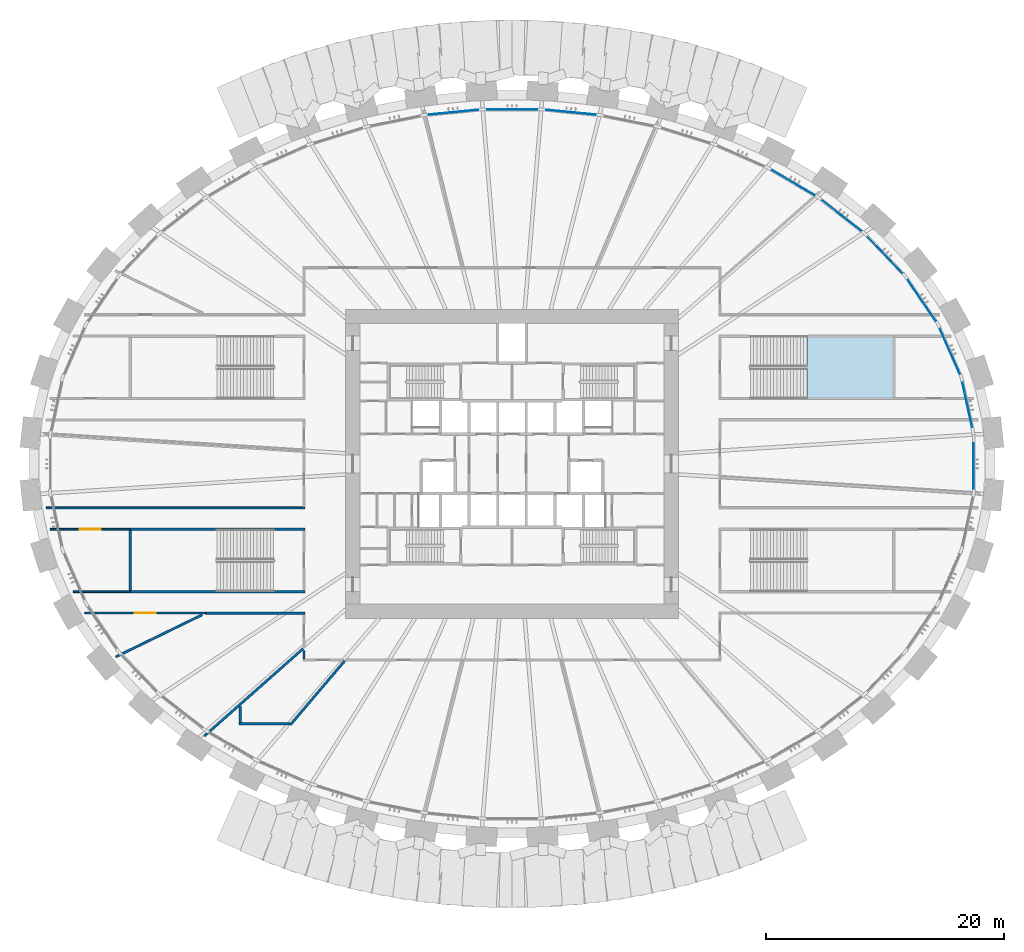
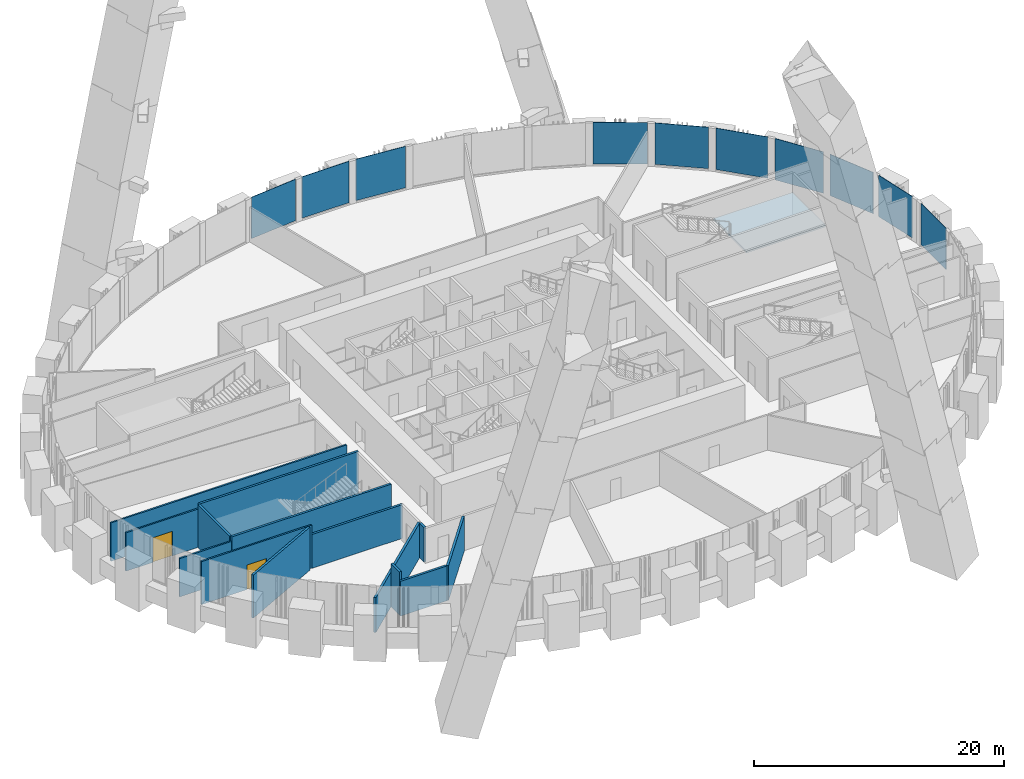
# One storey, part 7 of 23: 14 walls, 10 plates, 2 doors, 1 slab, 2 openings, 3 elements without a shape of their own.
"""IFC4 building model written with IfcOpenShell, lengths in metres."""

from ifc_helpers import new_model, si_unit, direction, frame, frame_2d, origin, origin_2d, place, context, subcontext, project, spatial, polyline, rectangle, outline, extrude, source, transform, mapped, material, layer, layer_set, type_object, element, fill, aggregate, save


model = new_model("IFC4")

# Units and contexts
model_context = context("Model", 3, precision=1e-05, world=origin(), true_north=direction((0.0, 1.0)))
body_context = subcontext(model_context, "Body", "Model", "MODEL_VIEW")
ifc_project = project(units=[si_unit("LENGTHUNIT", "METRE"), si_unit("AREAUNIT", "SQUARE_METRE"), si_unit("VOLUMEUNIT", "CUBIC_METRE"), si_unit("PLANEANGLEUNIT", "RADIAN"), si_unit("MASSUNIT", "GRAM", prefix="KILO")], contexts=[model_context])

# Site, building, storey
site_placement = place(None, origin())
site = spatial("IfcSite", under=ifc_project, at=site_placement, CompositionType="ELEMENT")
building_placement = place(site_placement, origin())
building = spatial("IfcBuilding", under=site, at=building_placement, Name="Embergate Tower", CompositionType="ELEMENT")
storey_placement = place(building_placement, frame((0.0, 0.0, 29.0)))
storey = spatial("IfcBuildingStorey", under=building, at=storey_placement, Name="L03", CompositionType="ELEMENT", Elevation=29.0)

# Curtain wall, plates
ifc_material_1 = material(Name="Aluminium and glass", Category="aluminium")
curtain_wall_type = type_object("IfcCurtainWallType", Name="Podium base glazing", PredefinedType="NOTDEFINED", material=ifc_material_1)
curtain_wall_1_placement = place(storey_placement, origin())
curtain_wall_1 = element("IfcCurtainWall", 1, at=curtain_wall_1_placement, inside=storey, type_object=curtain_wall_type, Name="Podium base glazing run 1", ObjectType="PODIUM BASE GLAZING", PredefinedType="USERDEFINED")
ifc_material_2 = material(Name="Triple glazing, low-emissivity coating", Category="glass")
ifc_layer_1 = layer(ifc_material_2, 0.0400390625)
ifc_layer_set_1 = layer_set([ifc_layer_1], Name="Triple glazing, low-emissivity coating")
plate_type = type_object("IfcPlateType", Name="Base glazing unit", PredefinedType="CURTAIN_PANEL", material=ifc_layer_set_1)
shared_shape_1 = source(origin(), body_context, "Body", "SweptSolid", [
    extrude(rectangle(XDim=4.001220703125, YDim=0.0400390625, at=origin_2d()), origin(), (0.0, 0.0, 1.0), 4.0400390625),
])
plate_1_placement = place(storey_placement, frame((38.294677734375, 4.99169921875, 0.159912109375), z_axis=(0.0, 0.0, 1.0), x_axis=(-0.21039327239, 0.97761683237, 0.0)))
plate_1 = element("IfcPlate", 2, at=plate_1_placement, type_object=plate_type, Name="CW panel 1.1", PredefinedType="CURTAIN_PANEL", context=body_context, shape_type="MappedRepresentation", body=[
    mapped(shared_shape_1, transform((0.0, 0.0, 0.0))),
])
shared_shape_2 = source(origin(), body_context, "Body", "SweptSolid", [
    extrude(rectangle(XDim=4.30859375, YDim=0.0400390625, at=origin_2d()), origin(), (0.0, 0.0, 1.0), 4.0400390625),
])
plate_2_placement = place(storey_placement, frame((36.82470703125, 9.48828125, 0.159912109375), z_axis=(0.0, 0.0, 1.0), x_axis=(-0.401644109346, 0.915795833921, 0.0)))
plate_2 = element("IfcPlate", 3, at=plate_2_placement, type_object=plate_type, Name="CW panel 2.1", PredefinedType="CURTAIN_PANEL", context=body_context, shape_type="MappedRepresentation", body=[
    mapped(shared_shape_2, transform((0.0, 0.0, 0.0))),
])
shared_shape_3 = source(origin(), body_context, "Body", "SweptSolid", [
    extrude(rectangle(XDim=4.318115234375, YDim=0.0400390625, at=origin_2d()), origin(), (0.0, 0.0, 1.0), 4.0400390625),
])
plate_3_placement = place(storey_placement, frame((34.456298828125, 13.769287109375, 0.159912109375), z_axis=(0.0, 0.0, 1.0), x_axis=(-0.562333082556, 0.826910820018, 0.0)))
plate_3 = element("IfcPlate", 4, at=plate_3_placement, type_object=plate_type, Name="CW panel 3.1", PredefinedType="CURTAIN_PANEL", context=body_context, shape_type="MappedRepresentation", body=[
    mapped(shared_shape_3, transform((0.0, 0.0, 0.0))),
])
shared_shape_4 = source(origin(), body_context, "Body", "SweptSolid", [
    extrude(rectangle(XDim=4.327392578125, YDim=0.0400390625, at=origin_2d()), origin(), (0.0, 0.0, 1.0), 4.0400390625),
])
plate_4_placement = place(storey_placement, frame((31.373046875, 17.585693359375, 0.159912109375), z_axis=(0.0, 0.0, 1.0), x_axis=(-0.690124942972, 0.723690239735, 0.0)))
plate_4 = element("IfcPlate", 5, at=plate_4_placement, type_object=plate_type, Name="CW panel 4.1", PredefinedType="CURTAIN_PANEL", context=body_context, shape_type="MappedRepresentation", body=[
    mapped(shared_shape_4, transform((0.0, 0.0, 0.0))),
])
shared_shape_5 = source(origin(), body_context, "Body", "SweptSolid", [
    extrude(rectangle(XDim=4.33544921875, YDim=0.0400390625, at=origin_2d()), origin(), (0.0, 0.0, 1.0), 4.0400390625),
])
plate_5_placement = place(storey_placement, frame((27.7275390625, 20.88720703125, 0.159912109375), z_axis=(0.0, 0.0, 1.0), x_axis=(-0.788312602312, 0.615274931259, 0.0)))
plate_5 = element("IfcPlate", 6, at=plate_5_placement, type_object=plate_type, Name="CW panel 5.1", PredefinedType="CURTAIN_PANEL", context=body_context, shape_type="MappedRepresentation", body=[
    mapped(shared_shape_5, transform((0.0, 0.0, 0.0))),
])
shared_shape_6 = source(origin(), body_context, "Body", "SweptSolid", [
    extrude(rectangle(XDim=4.341796875, YDim=0.0400390625, at=origin_2d()), origin(), (0.0, 0.0, 1.0), 4.0400390625),
])
plate_6_placement = place(storey_placement, frame((23.652099609375, 23.65771484375, 0.159912109375), z_axis=(0.0, 0.0, 1.0), x_axis=(-0.862046975799, 0.506828384679, 0.0)))
plate_6 = element("IfcPlate", 7, at=plate_6_placement, type_object=plate_type, Name="CW panel 6.1", PredefinedType="CURTAIN_PANEL", context=body_context, shape_type="MappedRepresentation", body=[
    mapped(shared_shape_6, transform((0.0, 0.0, 0.0))),
])
shared_shape_7 = source(origin(), body_context, "Body", "SweptSolid", [
    extrude(rectangle(XDim=4.35400390625, YDim=0.0400390625, at=origin_2d()), origin(), (0.0, 0.0, 1.0), 4.0400390625),
])
plate_7_placement = place(storey_placement, frame((4.9423828125, 29.580078125, 0.159912109375), z_axis=(0.0, 0.0, 1.0), x_axis=(-0.995203014042, 0.097831287645, 0.0)))
plate_7 = element("IfcPlate", 8, at=plate_7_placement, type_object=plate_type, Name="CW panel 10.1", PredefinedType="CURTAIN_PANEL", context=body_context, shape_type="MappedRepresentation", body=[
    mapped(shared_shape_7, transform((0.0, 0.0, 0.0))),
])
plate_8_placement = place(storey_placement, frame((-4.9423828125, 29.580078125, 0.159912109375), z_axis=(0.0, 0.0, 1.0), x_axis=(-0.995203014042, -0.097831287645, 0.0)))
plate_8 = element("IfcPlate", 9, at=plate_8_placement, type_object=plate_type, Name="CW panel 12.1", PredefinedType="CURTAIN_PANEL", context=body_context, shape_type="MappedRepresentation", body=[
    mapped(shared_shape_7, transform((0.0, 0.0, 0.0))),
])
shared_shape_8 = source(origin(), body_context, "Body", "SweptSolid", [
    extrude(rectangle(XDim=4.3544921875, YDim=0.0400390625, at=origin_2d()), origin(), (0.0, 0.0, 1.0), 4.0400390625),
])
plate_9_placement = place(storey_placement, frame((0.0, 29.822509765625, 0.159912109375), z_axis=(0.0, 0.0, 1.0), x_axis=(-1.0, 0.0, 0.0)))
plate_9 = element("IfcPlate", 10, at=plate_9_placement, type_object=plate_type, Name="CW panel 11.1", PredefinedType="CURTAIN_PANEL", context=body_context, shape_type="MappedRepresentation", body=[
    mapped(shared_shape_8, transform((0.0, 0.0, 0.0))),
])
aggregate(curtain_wall_1, [plate_1, plate_2, plate_3, plate_4, plate_5, plate_6, plate_7, plate_9, plate_8])

# Curtain wall, plate
curtain_wall_2_placement = place(storey_placement, origin())
curtain_wall_2 = element("IfcCurtainWall", 11, at=curtain_wall_2_placement, inside=storey, type_object=curtain_wall_type, Name="Podium base glazing run 3", ObjectType="PODIUM BASE GLAZING", PredefinedType="USERDEFINED")
shared_shape_9 = source(origin(), body_context, "Body", "SweptSolid", [
    extrude(rectangle(XDim=3.998291015625, YDim=0.0400390625, at=origin_2d()), origin(), (0.0, 0.0, 1.0), 4.0400390625),
])
plate_10_placement = place(storey_placement, frame((38.841796875, -0.14990234375, 0.159912109375), z_axis=(0.0, 0.0, 1.0), x_axis=(0.0, 1.0, 0.0)))
plate_10 = element("IfcPlate", 12, at=plate_10_placement, type_object=plate_type, Name="CW panel 15.1", PredefinedType="CURTAIN_PANEL", context=body_context, shape_type="MappedRepresentation", body=[
    mapped(shared_shape_9, transform((0.0, 0.0, 0.0))),
])
aggregate(curtain_wall_2, [plate_10])

# Stair, slab
ifc_material_3 = material(Name="Concrete C40", Category="concrete")
stair_type = type_object("IfcStairType", Name="Podium exit stair RC", PredefinedType="HALF_TURN_STAIR", material=ifc_material_3)
stair_placement = place(storey_placement, origin())
stair = element("IfcStair", 13, at=stair_placement, inside=storey, type_object=stair_type, Name="L03 Podium exit stair 1", PredefinedType="HALF_TURN_STAIR")
ifc_layer_2 = layer(ifc_material_3, 0.199951171875)
ifc_layer_set_2 = layer_set([ifc_layer_2], Name="Concrete C40")
slab_type = type_object("IfcSlabType", Name="Podium exit stair landing RC", PredefinedType="LANDING", material=ifc_layer_set_2)
shared_shape_10 = source(origin(), body_context, "Body", "SweptSolid", [
    extrude(outline(polyline([(0.0, 0.0), (7.31005859375, 0.0), (7.31005859375, 5.25), (0.0, 5.25), (0.0, 0.0)])), origin(), (0.0, 0.0, 1.0), 0.199951171875),
])
slab_placement = place(storey_placement, frame((24.81005859375, 5.5, 2.050048828125)))
slab = element("IfcSlab", 14, at=slab_placement, type_object=slab_type, Name="P1 landing 1", PredefinedType="LANDING", context=body_context, shape_type="MappedRepresentation", body=[
    mapped(shared_shape_10, transform((0.0, 0.0, 0.0))),
])
aggregate(stair, [slab])

# Wall
ifc_material_4 = material(Name="Plasterboard on steel stud", Category="steel")
ifc_layer_3 = layer(ifc_material_4, 0.14990234375)
ifc_layer_set_3 = layer_set([ifc_layer_3], Name="Plasterboard on steel stud")
wall_type_1 = type_object("IfcWallType", Name="Partition wall 150 board", PredefinedType="PARTITIONING", material=ifc_layer_set_3)
shared_shape_11 = source(origin(), body_context, "Body", "SweptSolid", [
    extrude(rectangle(XDim=21.764892578125, YDim=0.14990234375, at=frame_2d((10.88232421875, 0.0))), origin(), (0.0, 0.0, 1.0), 3.75),
])
wall_1_placement = place(storey_placement, frame((-17.425048828125, -3.699951171875, 0.0), z_axis=(0.0, 0.0, 1.0), x_axis=(-1.0, 0.0, 0.0)))
element("IfcWall", 15, at=wall_1_placement, inside=storey, type_object=wall_type_1, Name="Partition 022", PredefinedType="PARTITIONING", context=body_context, shape_type="MappedRepresentation", body=[
    mapped(shared_shape_11, transform((0.0, 0.0, 0.0))),
])

# Wall, opening, door
shared_shape_12 = source(origin(), body_context, "Body", "SweptSolid", [
    extrude(rectangle(XDim=6.7119140625, YDim=0.14990234375, at=frame_2d((3.35595703125, 0.0))), origin(), (0.0, 0.0, 1.0), 3.75),
])
wall_2_placement = place(storey_placement, frame((-38.83203125, -5.5, 0.0), z_axis=(0.0, 0.0, 1.0), x_axis=(1.0, 0.0, 0.0)))
wall_2 = element("IfcWall", 16, at=wall_2_placement, inside=storey, type_object=wall_type_1, Name="Partition 002", PredefinedType="PARTITIONING", context=body_context, shape_type="MappedRepresentation", body=[
    mapped(shared_shape_12, transform((0.0, 0.0, 0.0))),
])
shared_shape_13 = source(origin(), body_context, "Body", "SweptSolid", [
    extrude(rectangle(XDim=1.800048828125, YDim=2.39990234375, at=frame_2d((0.89990234375, 1.199951171875))), frame((0.0, 0.0849609375, 0.0), z_axis=(0.0, -1.0, 0.0), x_axis=(1.0, 0.0, 0.0)), (0.0, 0.0, 1.0), 0.169921875),
])
opening_1_placement = place(wall_2_placement, frame((2.4560546875, 0.0, 0.0)))
opening_1 = element("IfcOpeningElement", 17, at=opening_1_placement, cuts=wall_2, Name="Opening DS-069", PredefinedType="OPENING", context=body_context, shape_type="MappedRepresentation", body=[
    mapped(shared_shape_13, transform((0.0, 0.0, 0.0))),
])
ifc_material_5 = material(Name="Timber door leaf, steel frame", Category="steel")
door_type = type_object("IfcDoorType", Name="Double door 1800x2400", OperationType="DOUBLE_DOOR_SINGLE_SWING", PredefinedType="DOOR", material=ifc_material_5)
shared_shape_14 = source(origin(), body_context, "Body", "SweptSolid", [
    extrude(rectangle(XDim=1.800048828125, YDim=2.39990234375, at=frame_2d((0.89990234375, 1.199951171875))), frame((0.0, 0.02490234375, 0.0), z_axis=(0.0, -1.0, 0.0), x_axis=(1.0, 0.0, 0.0)), (0.0, 0.0, 1.0), 0.050048828125),
])
door_1_placement = place(opening_1_placement, origin())
door_1 = element("IfcDoor", 18, at=door_1_placement, inside=storey, type_object=door_type, Name="Door to Breakout lounge", OperationType="SINGLE_SWING_LEFT", OverallHeight=2.39990234375, OverallWidth=1.800048828125, PredefinedType="DOOR", context=body_context, shape_type="MappedRepresentation", body=[
    mapped(shared_shape_14, transform((0.0, 0.0, 0.0))),
])
fill(opening_1, door_1)

# Wall
shared_shape_15 = source(origin(), body_context, "Body", "SweptSolid", [
    extrude(rectangle(XDim=4.796875, YDim=0.14990234375, at=frame_2d((2.3984375, 0.0))), origin(), (0.0, 0.0, 1.0), 3.75),
])
wall_3_placement = place(storey_placement, frame((-32.1201171875, -10.75, 0.0), z_axis=(0.0, 0.0, 1.0), x_axis=(-1.0, 0.0, 0.0)))
element("IfcWall", 19, at=wall_3_placement, inside=storey, type_object=wall_type_1, Name="Partition 005", PredefinedType="PARTITIONING", context=body_context, shape_type="MappedRepresentation", body=[
    mapped(shared_shape_15, transform((0.0, 0.0, 0.0))),
])

# Wall, opening, door
shared_shape_16 = source(origin(), body_context, "Body", "SweptSolid", [
    extrude(rectangle(XDim=10.169921875, YDim=0.14990234375, at=frame_2d((5.0849609375, 0.0))), origin(), (0.0, 0.0, 1.0), 4.199951171875),
])
wall_4_placement = place(storey_placement, frame((-35.93603515625, -12.550048828125, 0.0), z_axis=(0.0, 0.0, 1.0), x_axis=(1.0, 0.0, 0.0)))
wall_4 = element("IfcWall", 20, at=wall_4_placement, inside=storey, type_object=wall_type_1, Name="Partition 004", PredefinedType="PARTITIONING", context=body_context, shape_type="MappedRepresentation", body=[
    mapped(shared_shape_16, transform((0.0, 0.0, 0.0))),
])
opening_2_placement = place(wall_4_placement, frame((4.18505859375, 0.0, 0.0)))
opening_2 = element("IfcOpeningElement", 21, at=opening_2_placement, cuts=wall_4, Name="Opening DS-070", PredefinedType="OPENING", context=body_context, shape_type="MappedRepresentation", body=[
    mapped(shared_shape_13, transform((0.0, 0.0, 0.0))),
])
door_2_placement = place(opening_2_placement, origin())
door_2 = element("IfcDoor", 22, at=door_2_placement, inside=storey, type_object=door_type, Name="Door to Breakout lounge", OperationType="SINGLE_SWING_LEFT", OverallHeight=2.39990234375, OverallWidth=1.800048828125, PredefinedType="DOOR", context=body_context, shape_type="MappedRepresentation", body=[
    mapped(shared_shape_14, transform((0.0, 0.0, 0.0))),
])
fill(opening_2, door_2)

# Walls
ifc_layer_4 = layer(ifc_material_3, 0.199951171875)
ifc_layer_set_4 = layer_set([ifc_layer_4], Name="Concrete C40")
wall_type_2 = type_object("IfcWallType", Name="Stair enclosure wall RC 200", PredefinedType="STANDARD", material=ifc_layer_set_4)
shared_shape_17 = source(origin(), body_context, "Body", "SweptSolid", [
    extrude(rectangle(XDim=14.72021484375, YDim=0.199951171875, at=frame_2d((7.360107421875, 0.0))), origin(), (0.0, 0.0, 1.0), 4.199951171875),
])
for number, where, z_axis, x_axis, name in (
    (23, (-32.1201171875, -10.75, 0.0), (0.0, 0.0, 1.0), (1.0, 0.0, 0.0), "Stair wall 006"),
    (24, (-17.39990234375, -5.5, 0.0), (0.0, 0.0, 1.0), (-1.0, 0.0, 0.0), "Stair wall 021"),
):
    element("IfcWall", number, at=place(storey_placement, frame(where, z_axis=z_axis, x_axis=x_axis)), inside=storey, type_object=wall_type_2, Name=name, PredefinedType="STANDARD", context=body_context, shape_type="MappedRepresentation", body=[
        mapped(shared_shape_17, transform((0.0, 0.0, 0.0))),
    ])
shared_shape_18 = source(origin(), body_context, "Body", "SweptSolid", [
    extrude(rectangle(XDim=5.0498046875, YDim=0.199951171875, at=frame_2d((2.52490234375, 0.0))), origin(), (0.0, 0.0, 1.0), 4.199951171875),
])
wall_5_placement = place(storey_placement, frame((-32.1201171875, -5.60009765625, 0.0), z_axis=(0.0, 0.0, 1.0), x_axis=(0.0, -1.0, 0.0)))
element("IfcWall", 25, at=wall_5_placement, inside=storey, type_object=wall_type_2, Name="Stair wall 007", PredefinedType="STANDARD", context=body_context, shape_type="MappedRepresentation", body=[
    mapped(shared_shape_18, transform((0.0, 0.0, 0.0))),
])
ifc_material_6 = material(Name="Blockwork, plastered", Category="masonry")
ifc_layer_5 = layer(ifc_material_6, 0.199951171875)
ifc_layer_set_5 = layer_set([ifc_layer_5], Name="Blockwork, plastered")
wall_type_3 = type_object("IfcWallType", Name="Partition wall 200 block", PredefinedType="PARTITIONING", material=ifc_layer_set_5)
shared_shape_19 = source(origin(), body_context, "Body", "SweptSolid", [
    extrude(rectangle(XDim=8.084228515625, YDim=0.199951171875, at=frame_2d((4.0419921875, 0.0))), origin(), (0.0, 0.0, 1.0), 4.199951171875),
])
wall_6_placement = place(storey_placement, frame((-26.072021484375, -12.698974609375, 0.0), z_axis=(0.0, 0.0, 1.0), x_axis=(-0.89902949957, -0.437888066636, 0.0)))
element("IfcWall", 26, at=wall_6_placement, inside=storey, type_object=wall_type_3, Name="Partition 011", PredefinedType="PARTITIONING", context=body_context, shape_type="MappedRepresentation", body=[
    mapped(shared_shape_19, transform((0.0, 0.0, 0.0))),
])
shared_shape_20 = source(origin(), body_context, "Body", "SweptSolid", [
    extrude(rectangle(XDim=8.3662109375, YDim=0.199951171875, at=frame_2d((4.18310546875, 0.0))), origin(), (0.0, 0.0, 1.0), 3.300048828125),
])
wall_7_placement = place(storey_placement, frame((-25.76611328125, -12.550048828125, 0.0), z_axis=(0.0, 0.0, 1.0), x_axis=(1.0, 0.0, 0.0)))
element("IfcWall", 27, at=wall_7_placement, inside=storey, type_object=wall_type_3, Name="Partition 012", PredefinedType="PARTITIONING", context=body_context, shape_type="MappedRepresentation", body=[
    mapped(shared_shape_20, transform((0.0, 0.0, 0.0))),
])
shared_shape_21 = source(origin(), body_context, "Body", "SweptSolid", [
    extrude(rectangle(XDim=1.3369140625, YDim=0.199951171875, at=frame_2d((0.66845703125, 0.0))), origin(), (0.0, 0.0, 1.0), 4.199951171875),
])
wall_8_placement = place(storey_placement, frame((-22.864013671875, -21.763916015625, 0.0), z_axis=(0.0, 0.0, 1.0), x_axis=(0.0, 1.0, 0.0)))
element("IfcWall", 28, at=wall_8_placement, inside=storey, type_object=wall_type_3, Name="Partition 015", PredefinedType="PARTITIONING", context=body_context, shape_type="MappedRepresentation", body=[
    mapped(shared_shape_21, transform((0.0, 0.0, 0.0))),
])
shared_shape_22 = source(origin(), body_context, "Body", "SweptSolid", [
    extrude(rectangle(XDim=4.26708984375, YDim=0.199951171875, at=frame_2d((2.133544921875, 0.0))), origin(), (0.0, 0.0, 1.0), 3.39990234375),
])
wall_9_placement = place(storey_placement, frame((-18.697021484375, -21.864013671875, 0.0), z_axis=(0.0, 0.0, 1.0), x_axis=(-1.0, 0.0, 0.0)))
element("IfcWall", 29, at=wall_9_placement, inside=storey, type_object=wall_type_3, Name="Partition 016", PredefinedType="PARTITIONING", context=body_context, shape_type="MappedRepresentation", body=[
    mapped(shared_shape_22, transform((0.0, 0.0, 0.0))),
])
shared_shape_23 = source(origin(), body_context, "Body", "SweptSolid", [
    extrude(rectangle(XDim=0.718017578125, YDim=0.199951171875, at=frame_2d((0.35888671875, 0.0))), origin(), (0.0, 0.0, 1.0), 3.39990234375),
])
wall_10_placement = place(storey_placement, frame((-17.5, -16.39990234375, 0.0), z_axis=(0.0, 0.0, 1.0), x_axis=(0.0, 1.0, 0.0)))
element("IfcWall", 30, at=wall_10_placement, inside=storey, type_object=wall_type_3, Name="Partition 017", PredefinedType="PARTITIONING", context=body_context, shape_type="MappedRepresentation", body=[
    mapped(shared_shape_23, transform((0.0, 0.0, 0.0))),
])
shared_shape_24 = source(origin(), body_context, "Body", "SweptSolid", [
    extrude(rectangle(XDim=11.084228515625, YDim=0.199951171875, at=frame_2d((5.5419921875, 0.0))), origin(), (0.0, 0.0, 1.0), 3.39990234375),
])
wall_11_placement = place(storey_placement, frame((-17.574951171875, -15.548095703125, 0.0), z_axis=(0.0, 0.0, 1.0), x_axis=(-0.749000346229, -0.662569604909, 0.0)))
element("IfcWall", 31, at=wall_11_placement, inside=storey, type_object=wall_type_3, Name="Partition 018", PredefinedType="PARTITIONING", context=body_context, shape_type="MappedRepresentation", body=[
    mapped(shared_shape_24, transform((0.0, 0.0, 0.0))),
])
shared_shape_25 = source(origin(), body_context, "Body", "SweptSolid", [
    extrude(rectangle(XDim=7.037109375, YDim=0.199951171875, at=frame_2d((3.5185546875, 0.0))), origin(), (0.0, 0.0, 1.0), 3.39990234375),
])
wall_12_placement = place(storey_placement, frame((-14.076904296875, -16.575927734375, 0.0), z_axis=(0.0, 0.0, 1.0), x_axis=(-0.647298906016, -0.762236266699, 0.0)))
element("IfcWall", 32, at=wall_12_placement, inside=storey, type_object=wall_type_3, Name="Partition 031", PredefinedType="PARTITIONING", context=body_context, shape_type="MappedRepresentation", body=[
    mapped(shared_shape_25, transform((0.0, 0.0, 0.0))),
])

save(model, "model.ifc")
